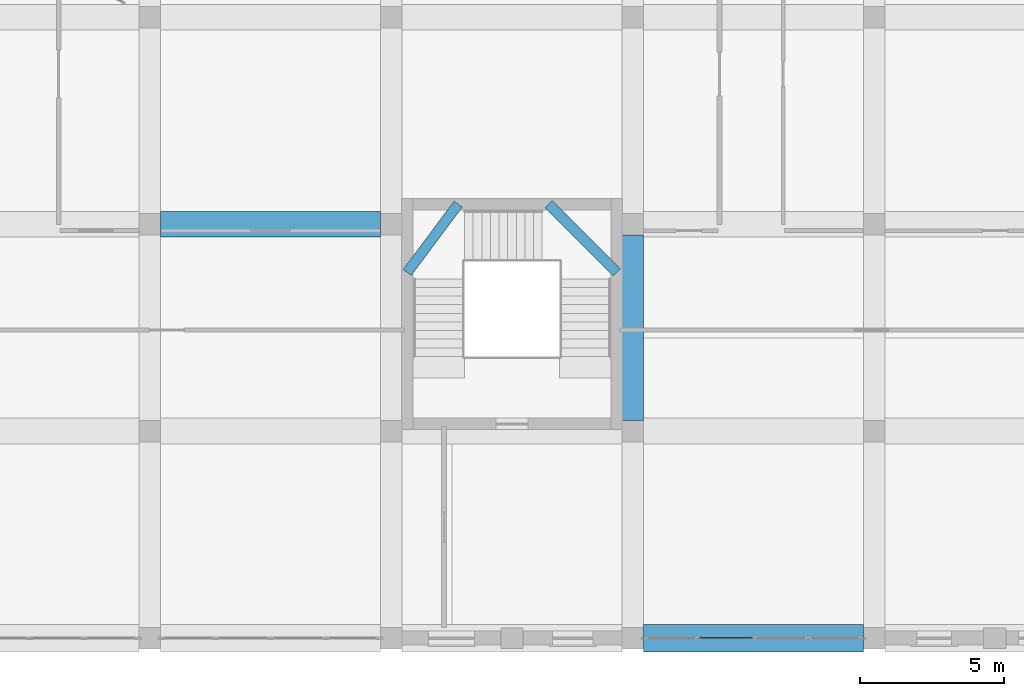
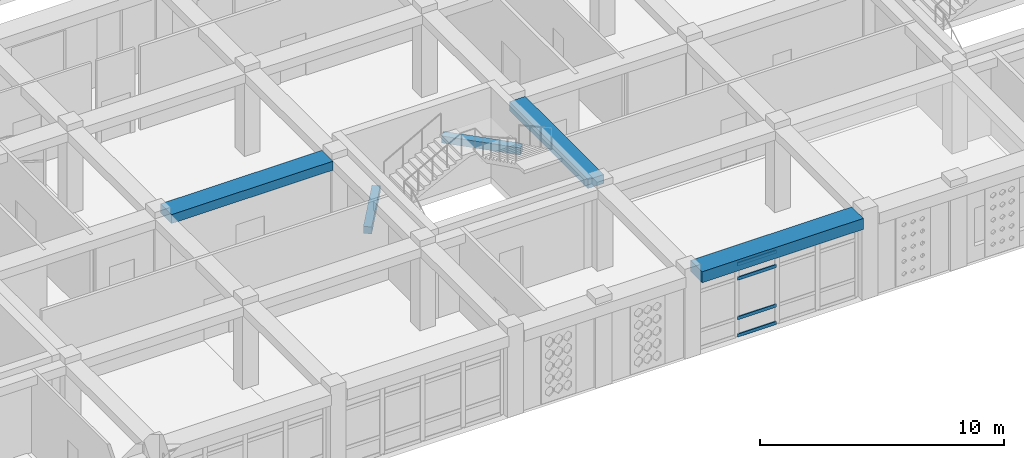
# One storey, part 29 of 121: 5 beams, 4 members, 1 element without a shape of its own.
"""IFC4 building model written with IfcOpenShell, lengths in metres."""

from ifc_helpers import new_model, si_unit, derived_unit, direction, frame, origin, origin_2d, place, context, subcontext, project, spatial, rectangle, hollow_rectangle, extrude, material, material_profile, profile_set, type_object, element, aggregate, save


model = new_model("IFC4")

# Units and contexts
model_context = context("Model", 3, precision=1e-05, world=origin(), true_north=direction((0.0, 1.0)))
body_context = subcontext(model_context, "Body", "Model", "MODEL_VIEW")
ifc_project = project(units=[si_unit("LENGTHUNIT", "METRE"), si_unit("AREAUNIT", "SQUARE_METRE"), si_unit("VOLUMEUNIT", "CUBIC_METRE"), si_unit("PLANEANGLEUNIT", "RADIAN"), si_unit("MASSUNIT", "GRAM", prefix="KILO"), derived_unit("THERMALTRANSMITTANCEUNIT", [(si_unit("POWERUNIT", "WATT"), 1), (si_unit("LENGTHUNIT", "METRE"), -2), (si_unit("THERMODYNAMICTEMPERATUREUNIT", "KELVIN"), -1)])], contexts=[model_context])

# Site, building, storey
site_placement = place(None, origin())
site = spatial("IfcSite", under=ifc_project, at=site_placement, CompositionType="ELEMENT")
building_placement = place(site_placement, origin())
building = spatial("IfcBuilding", under=site, at=building_placement, Name="Veybourne Emporium", CompositionType="ELEMENT")
storey_placement = place(building_placement, frame((0.0, 0.0, 5.39990234375)))
storey = spatial("IfcBuildingStorey", under=building, at=storey_placement, Name="L01", CompositionType="ELEMENT", Elevation=5.39990234375)

# Curtain wall, members
ifc_material_1 = material(Name="Patinated Architectural Bronze", Category="bronze")
curtain_wall_type = type_object("IfcCurtainWallType", Name="CWSystem_CWS-24", PredefinedType="NOTDEFINED", material=ifc_material_1)
curtain_wall_placement = place(storey_placement, origin())
curtain_wall = element("IfcCurtainWall", 1, at=curtain_wall_placement, inside=storey, type_object=curtain_wall_type, Name="L01 bronze glazed curtain wall CWS-24 (063)", PredefinedType="NOTDEFINED")
ifc_material_profile_1 = material_profile(ifc_material_1, hollow_rectangle(XDim=0.070068359375, YDim=0.169921875, WallThickness=0.0048828125, InnerFilletRadius=0.007568359375, OuterFilletRadius=0.012451171875, at=origin_2d()), Name="CWT 70x170x5")
ifc_profile_set_1 = profile_set([ifc_material_profile_1], Name="Patinated Architectural Bronze")
member_type = type_object("IfcMemberType", Name="CWTransom_CW-T4", PredefinedType="NOTDEFINED", material=ifc_profile_set_1)
member_1_placement = place(storey_placement, frame((113.364990234375, 0.0, 0.03515625), z_axis=(-1.0, 0.0, 0.0), x_axis=(0.0, -1.0, 0.0)))
member_1 = element("IfcMember", 2, at=member_1_placement, type_object=member_type, Name="CWS-24 transom 3.1", ObjectType="TRANSOM", PredefinedType="USERDEFINED", context=body_context, shape_type="SweptSolid", body=[
    extrude(hollow_rectangle(XDim=0.070068359375, YDim=0.169921875, WallThickness=0.0048828125, InnerFilletRadius=0.007568359375, OuterFilletRadius=0.012451171875, at=origin_2d()), origin(), (0.0, 0.0, 1.0), 1.842529296875),
])
member_2_placement = place(storey_placement, frame((113.364990234375, 0.0, 0.900146484375), z_axis=(-1.0, 0.0, 0.0), x_axis=(0.0, -1.0, 0.0)))
member_2 = element("IfcMember", 3, at=member_2_placement, type_object=member_type, Name="CWS-24 transom 3.2", ObjectType="TRANSOM", PredefinedType="USERDEFINED", context=body_context, shape_type="SweptSolid", body=[
    extrude(hollow_rectangle(XDim=0.070068359375, YDim=0.169921875, WallThickness=0.0048828125, InnerFilletRadius=0.007568359375, OuterFilletRadius=0.012451171875, at=origin_2d()), origin(), (0.0, 0.0, 1.0), 1.842529296875),
])
member_3_placement = place(storey_placement, frame((113.364990234375, 0.0, 2.880126953125), z_axis=(-1.0, 0.0, 0.0), x_axis=(0.0, -1.0, 0.0)))
member_3 = element("IfcMember", 4, at=member_3_placement, type_object=member_type, Name="CWS-24 transom 3.3", ObjectType="TRANSOM", PredefinedType="USERDEFINED", context=body_context, shape_type="SweptSolid", body=[
    extrude(hollow_rectangle(XDim=0.070068359375, YDim=0.169921875, WallThickness=0.0048828125, InnerFilletRadius=0.007568359375, OuterFilletRadius=0.012451171875, at=origin_2d()), origin(), (0.0, 0.0, 1.0), 1.842529296875),
])
member_4_placement = place(storey_placement, frame((113.364990234375, 0.0, 3.59521484375), z_axis=(-1.0, 0.0, 0.0), x_axis=(0.0, -1.0, 0.0)))
member_4 = element("IfcMember", 5, at=member_4_placement, type_object=member_type, Name="CWS-24 transom 3.4", ObjectType="TRANSOM", PredefinedType="USERDEFINED", context=body_context, shape_type="SweptSolid", body=[
    extrude(hollow_rectangle(XDim=0.070068359375, YDim=0.169921875, WallThickness=0.0048828125, InnerFilletRadius=0.007568359375, OuterFilletRadius=0.012451171875, at=origin_2d()), origin(), (0.0, 0.0, 1.0), 1.842529296875),
])
aggregate(curtain_wall, [member_1, member_2, member_3, member_4])

# Beams
ifc_material_2 = material(Name="Concrete C32/40", Category="concrete")
ifc_material_profile_2 = material_profile(ifc_material_2, rectangle(XDim=0.35009765625, YDim=0.35009765625, at=origin_2d()), Name="RC 350x350")
ifc_profile_set_2 = profile_set([ifc_material_profile_2], Name="Concrete C32/40")
beam_type_1 = type_object("IfcBeamType", Name="LandingBeam_LB-01", PredefinedType="BEAM", material=ifc_profile_set_2)
beam_1_placement = place(storey_placement, frame((101.35009765625, 12.719970703125, 1.14501953125), z_axis=(0.598855892692, 0.800856803547, 0.0), x_axis=(-0.800856803547, 0.598855892692, 0.0)))
element("IfcBeam", 6, at=beam_1_placement, inside=storey, type_object=beam_type_1, Name="L01 ST-11 landing 1 support beam", PredefinedType="BEAM", context=body_context, shape_type="SweptSolid", body=[
    extrude(rectangle(XDim=0.35009765625, YDim=0.35009765625, at=origin_2d()), origin(), (0.0, 0.0, 1.0), 2.971923828125),
])
beam_2_placement = place(storey_placement, frame((106.27001953125, 15.10009765625, 2.64501953125), z_axis=(0.707070512791, -0.707143047722, 0.0), x_axis=(0.707143047722, 0.707070512791, 0.0)))
element("IfcBeam", 7, at=beam_2_placement, inside=storey, type_object=beam_type_1, Name="L01 ST-11 landing 2 support beam", PredefinedType="BEAM", context=body_context, shape_type="SweptSolid", body=[
    extrude(rectangle(XDim=0.35009765625, YDim=0.35009765625, at=origin_2d()), origin(), (0.0, 0.0, 1.0), 3.36572265625),
])
ifc_material_profile_3 = material_profile(ifc_material_2, rectangle(XDim=0.89990234375, YDim=0.449951171875, at=origin_2d()), Name="RC 900x450")
ifc_profile_set_3 = profile_set([ifc_material_profile_3], Name="Concrete C32/40")
beam_type_2 = type_object("IfcBeamType", Name="RCBeam_BB-03", PredefinedType="BEAM", material=ifc_profile_set_3)
beam_3_placement = place(storey_placement, frame((92.77490234375, 14.39990234375, 3.955078125), z_axis=(1.0, 0.0, 0.0), x_axis=(0.0, 1.0, 0.0)))
element("IfcBeam", 8, at=beam_3_placement, inside=storey, type_object=beam_type_2, Name="L01 X-grid beam BB-03 (11,2)", PredefinedType="BEAM", context=body_context, shape_type="SweptSolid", body=[
    extrude(rectangle(XDim=0.89990234375, YDim=0.449951171875, at=origin_2d()), origin(), (0.0, 0.0, 1.0), 7.650146484375),
])
ifc_material_profile_4 = material_profile(ifc_material_2, rectangle(XDim=0.75, YDim=0.449951171875, at=origin_2d()), Name="RC 750x450")
ifc_profile_set_4 = profile_set([ifc_material_profile_4], Name="Concrete C32/40")
beam_type_3 = type_object("IfcBeamType", Name="RCBeam_BB-04", PredefinedType="BEAM", material=ifc_profile_set_4)
beam_4_placement = place(storey_placement, frame((109.199951171875, 7.574951171875, 3.955078125), z_axis=(0.0, 1.0, 0.0), x_axis=(-1.0, 0.0, 0.0)))
element("IfcBeam", 9, at=beam_4_placement, inside=storey, type_object=beam_type_3, Name="L01 Y-grid beam BB-04 (13,1)", PredefinedType="BEAM", context=body_context, shape_type="SweptSolid", body=[
    extrude(rectangle(XDim=0.75, YDim=0.449951171875, at=origin_2d()), origin(), (0.0, 0.0, 1.0), 6.449951171875),
])
ifc_material_profile_5 = material_profile(ifc_material_2, rectangle(XDim=0.949951171875, YDim=0.550048828125, at=origin_2d()), Name="RC 950x550")
ifc_profile_set_5 = profile_set([ifc_material_profile_5], Name="Concrete C32/40")
beam_type_4 = type_object("IfcBeamType", Name="RCBeam_EB-01", PredefinedType="SPANDREL", material=ifc_profile_set_5)
beam_5_placement = place(storey_placement, frame((109.574951171875, 0.0, 3.905029296875), z_axis=(1.0, 0.0, 0.0), x_axis=(0.0, 1.0, 0.0)))
element("IfcBeam", 10, at=beam_5_placement, inside=storey, type_object=beam_type_4, Name="L01 X-grid beam EB-01 (13,0)", PredefinedType="SPANDREL", context=body_context, shape_type="SweptSolid", body=[
    extrude(rectangle(XDim=0.949951171875, YDim=0.550048828125, at=origin_2d()), origin(), (0.0, 0.0, 1.0), 7.650146484375),
])

save(model, "model.ifc")
